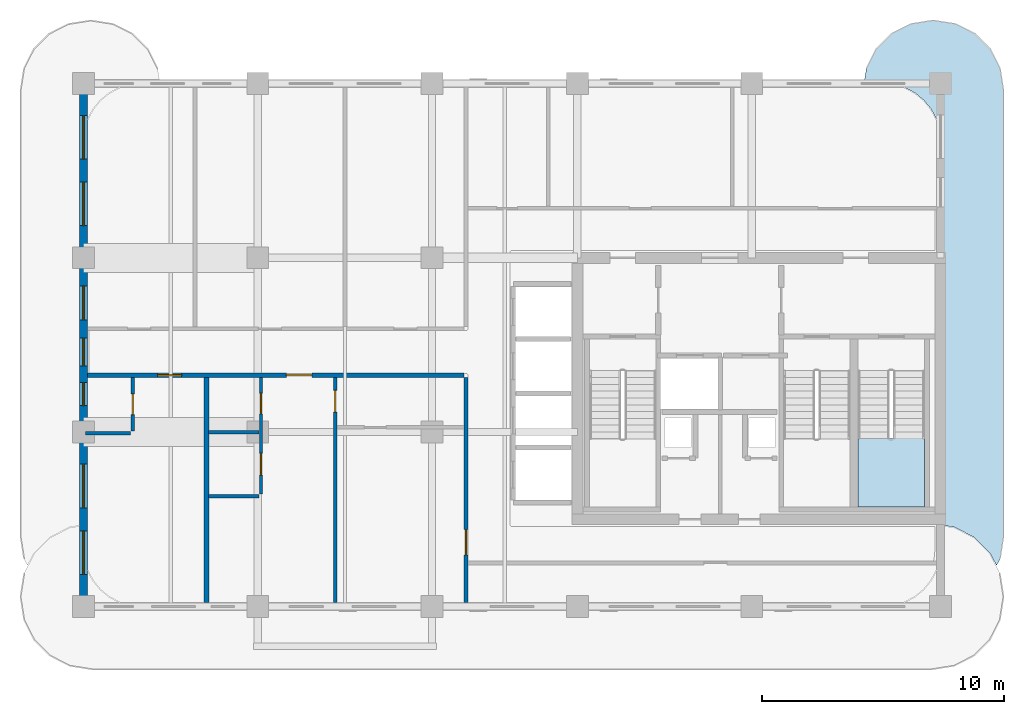
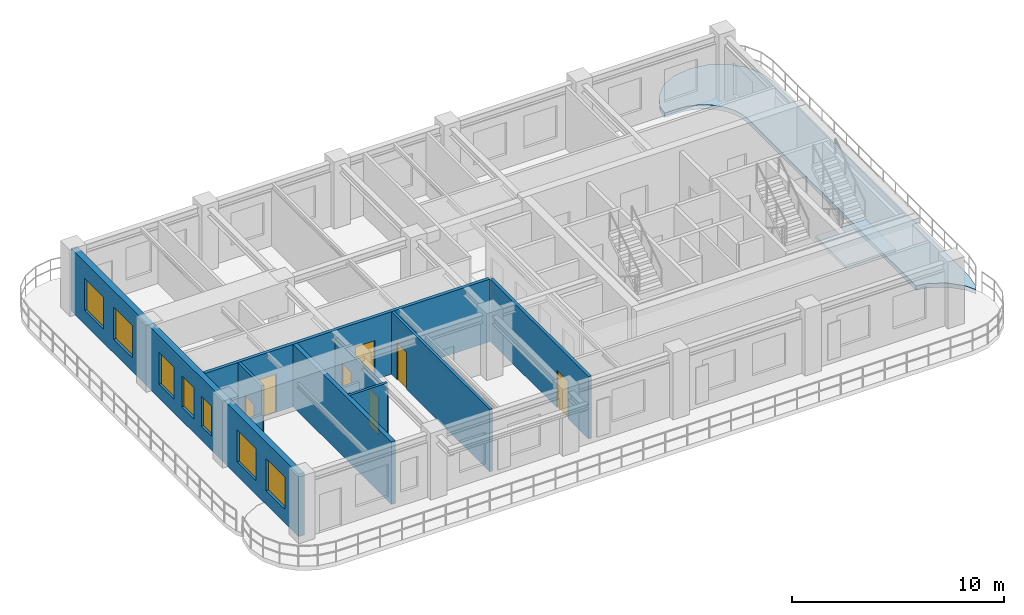
# One storey, part 2 of 8: 10 walls, 7 doors, 7 windows, 2 slabs, 14 openings, 1 element without a shape of its own.
"""IFC4 building model written with IfcOpenShell, lengths in metres."""

from ifc_helpers import new_model, si_unit, derived_unit, direction, frame, frame_2d, origin, place, context, subcontext, project, spatial, polyline, rectangle, outline, extrude, source, transform, mapped, material, layer, layer_set, type_object, type_shapes, element, fill, aggregate, save


model = new_model("IFC4")

# Units and contexts
model_context = context("Model", 3, precision=1e-05, world=origin(), true_north=direction((0.0, 1.0)))
body_context = subcontext(model_context, "Body", "Model", "MODEL_VIEW")
ifc_project = project(units=[si_unit("LENGTHUNIT", "METRE"), si_unit("AREAUNIT", "SQUARE_METRE"), si_unit("VOLUMEUNIT", "CUBIC_METRE"), si_unit("PLANEANGLEUNIT", "RADIAN"), si_unit("MASSUNIT", "GRAM", prefix="KILO"), si_unit("THERMODYNAMICTEMPERATUREUNIT", "KELVIN"), si_unit("POWERUNIT", "WATT"), derived_unit("THERMALTRANSMITTANCEUNIT", [(si_unit("POWERUNIT", "WATT"), 1), (si_unit("AREAUNIT", "SQUARE_METRE"), -1), (si_unit("THERMODYNAMICTEMPERATUREUNIT", "KELVIN"), -1)])], contexts=[model_context])

# Site, building, storey
site_placement = place(None, origin())
site = spatial("IfcSite", under=ifc_project, at=site_placement, CompositionType="ELEMENT")
building_placement = place(site_placement, origin())
building = spatial("IfcBuilding", under=site, at=building_placement, Name="Zahravan Archway Hotel and Residences", CompositionType="ELEMENT")
storey_placement = place(building_placement, frame((0.0, 0.0, 248.10009765625)))
storey = spatial("IfcBuildingStorey", under=building, at=storey_placement, Name="L62", CompositionType="ELEMENT", Elevation=248.10009765625)

# Slab
ifc_material_1 = material(Name="Concrete C45/55", Category="concrete")
ifc_layer_1 = layer(ifc_material_1, 0.25, Name="Concrete C45/55", Category="concrete")
ifc_layer_set_1 = layer_set([ifc_layer_1], Name="Concrete C45/55")
slab_type_1 = type_object("IfcSlabType", Name="SLB-BALC-250", PredefinedType="FLOOR", material=ifc_layer_set_1)
slab_1_placement = place(storey_placement, frame((0.0, 0.0, -0.25)))
element("IfcSlab", 1, at=slab_1_placement, inside=storey, type_object=slab_type_1, Name="L62 Wing A East Rounded Balcony Band", PredefinedType="FLOOR", context=body_context, shape_type="SweptSolid", body=[
    extrude(outline(polyline([(46.739501953125, 22.230712890625), (47.144287109375, 23.025146484375), (47.77490234375, 23.65576171875), (48.5693359375, 24.060546875), (49.449951171875, 24.199951171875), (49.550048828125, 24.199951171875), (50.4306640625, 24.060546875), (51.22509765625, 23.65576171875), (51.855712890625, 23.025146484375), (52.260498046875, 22.230712890625), (52.39990234375, 21.35009765625), (52.39990234375, 2.85009765625), (52.260498046875, 1.96923828125), (52.114501953125, 1.6826171875), (51.8544921875, 2.193115234375), (51.853515625, 2.19482421875), (51.85205078125, 2.196533203125), (51.8505859375, 2.197998046875), (51.197998046875, 2.8505859375), (51.196533203125, 2.85205078125), (51.19482421875, 2.853515625), (51.193115234375, 2.8544921875), (50.37060546875, 3.2734375), (50.368896484375, 3.2744140625), (50.36669921875, 3.27490234375), (50.36474609375, 3.275390625), (49.822998046875, 3.361083984375), (49.8212890625, 3.361328125), (49.820068359375, 3.361328125), (49.820068359375, 19.199951171875), (49.81982421875, 19.201904296875), (49.773681640625, 19.670166015625), (49.7734375, 19.672119140625), (49.77294921875, 19.674072265625), (49.636474609375, 20.124267578125), (49.6357421875, 20.126220703125), (49.635009765625, 20.127685546875), (49.4130859375, 20.542724609375), (49.412109375, 20.54443359375), (49.410888671875, 20.546142578125), (49.112548828125, 20.909912109375), (49.111083984375, 20.9111328125), (49.10986328125, 20.91259765625), (48.74609375, 21.2109375), (48.744384765625, 21.212158203125), (48.742919921875, 21.213134765625), (48.327880859375, 21.434814453125), (48.326171875, 21.435791015625), (48.32421875, 21.436279296875), (47.8740234375, 21.572998046875), (47.8720703125, 21.573486328125), (47.8701171875, 21.57373046875), (47.402099609375, 21.619873046875), (47.39990234375, 21.6201171875), (46.642822265625, 21.6201171875), (46.739501953125, 22.230712890625)])), origin(), (0.0, 0.0, 1.0), 0.25),
])

# Stair, slab
ifc_material_2 = material(Name="Concrete C50/60", Category="concrete")
stair_type = type_object("IfcStairType", Name="STR-CORE-1300", PredefinedType="HALF_TURN_STAIR", material=ifc_material_2)
stair_placement = place(storey_placement, origin())
stair = element("IfcStair", 2, at=stair_placement, inside=storey, type_object=stair_type, Name="L62 Core A Exit Stair 3", PredefinedType="HALF_TURN_STAIR")
ifc_layer_2 = layer(ifc_material_2, 0.199951171875, Name="Concrete C50/60", Category="concrete")
ifc_layer_set_2 = layer_set([ifc_layer_2], Name="Concrete C50/60")
slab_type_2 = type_object("IfcSlabType", Name="SLB-LND-200", PredefinedType="LANDING", material=ifc_layer_set_2)
slab_2_placement = place(storey_placement, frame((0.0, 0.0, 1.724853515625)))
slab_2 = element("IfcSlab", 3, at=slab_2_placement, type_object=slab_type_2, Name="ST-A3 landing 1", PredefinedType="LANDING", context=body_context, shape_type="SweptSolid", body=[
    extrude(outline(polyline([(46.39990234375, 6.929931640625), (46.39990234375, 4.10009765625), (49.139892578125, 4.10009765625), (49.139892578125, 6.929931640625), (46.39990234375, 6.929931640625)])), origin(), (0.0, 0.0, 1.0), 0.199951171875),
])
aggregate(stair, [slab_2])

# Wall, openings, windows
ifc_material_3 = material(Name="Agra Buff Sandstone & Insulated Backup", Category="masonry")
ifc_layer_3 = layer(ifc_material_3, 0.320068359375, Name="Agra Buff Sandstone & Insulated Backup", Category="masonry")
ifc_layer_set_3 = layer_set([ifc_layer_3], Name="Agra Buff Sandstone & Insulated Backup")
wall_type_1 = type_object("IfcWallType", Name="EW-SAND-320", PredefinedType="SOLIDWALL", material=ifc_layer_set_3)
wall_1_placement = place(storey_placement, frame((14.39990234375, 0.050048828125, 0.0), z_axis=(0.0, 0.0, 1.0), x_axis=(0.0, 1.0, 0.0)))
wall_1 = element("IfcWall", 4, at=wall_1_placement, inside=storey, type_object=wall_type_1, Name="L62 Exterior Sandstone Wall WA-W", PredefinedType="SOLIDWALL", context=body_context, shape_type="SweptSolid", body=[
    extrude(rectangle(XDim=21.5, YDim=0.320068359375, at=frame_2d((10.75, 0.0))), origin(), (0.0, 0.0, 1.0), 3.599853515625),
])
opening_1_placement = place(wall_1_placement, frame((1.27490234375, 0.0, 0.800048828125)))
opening_1 = element("IfcOpeningElement", 5, at=opening_1_placement, cuts=wall_1, Name="Opening W-02", PredefinedType="OPENING", context=body_context, shape_type="SweptSolid", body=[
    extrude(rectangle(XDim=1.800048828125, YDim=1.85009765625, at=frame_2d((0.89990234375, 0.925048828125))), frame((0.0, 0.169921875, 0.0), z_axis=(0.0, -1.0, 0.0), x_axis=(1.0, 0.0, 0.0)), (0.0, 0.0, 1.0), 0.340087890625),
])
opening_2_placement = place(wall_1_placement, frame((4.02490234375, 0.0, 0.800048828125)))
opening_2 = element("IfcOpeningElement", 6, at=opening_2_placement, cuts=wall_1, Name="Opening W-02", PredefinedType="OPENING", context=body_context, shape_type="SweptSolid", body=[
    extrude(rectangle(XDim=1.800048828125, YDim=1.85009765625, at=frame_2d((0.89990234375, 0.925048828125))), frame((0.0, 0.169921875, 0.0), z_axis=(0.0, -1.0, 0.0), x_axis=(1.0, 0.0, 0.0)), (0.0, 0.0, 1.0), 0.340087890625),
])
opening_3_placement = place(wall_1_placement, frame((8.24609375, 0.0, 0.800048828125)))
opening_3 = element("IfcOpeningElement", 7, at=opening_3_placement, cuts=wall_1, Name="Opening W-04", PredefinedType="OPENING", context=body_context, shape_type="SweptSolid", body=[
    extrude(rectangle(XDim=0.949951171875, YDim=1.75, at=frame_2d((0.47509765625, 0.875))), frame((0.0, 0.169921875, 0.0), z_axis=(0.0, -1.0, 0.0), x_axis=(1.0, 0.0, 0.0)), (0.0, 0.0, 1.0), 0.340087890625),
])
opening_4_placement = place(wall_1_placement, frame((9.885009765625, 0.0, 0.800048828125)))
opening_4 = element("IfcOpeningElement", 8, at=opening_4_placement, cuts=wall_1, Name="Opening W-05", PredefinedType="OPENING", context=body_context, shape_type="SweptSolid", body=[
    extrude(rectangle(XDim=1.14990234375, YDim=1.800048828125, at=frame_2d((0.574951171875, 0.89990234375))), frame((0.0, 0.169921875, 0.0), z_axis=(0.0, -1.0, 0.0), x_axis=(1.0, 0.0, 0.0)), (0.0, 0.0, 1.0), 0.340087890625),
])
opening_5_placement = place(wall_1_placement, frame((11.7890625, 0.0, 0.800048828125)))
opening_5 = element("IfcOpeningElement", 9, at=opening_5_placement, cuts=wall_1, Name="Opening W-03", PredefinedType="OPENING", context=body_context, shape_type="SweptSolid", body=[
    extrude(rectangle(XDim=1.39990234375, YDim=1.85009765625, at=frame_2d((0.699951171875, 0.925048828125))), frame((0.0, 0.169921875, 0.0), z_axis=(0.0, -1.0, 0.0), x_axis=(1.0, 0.0, 0.0)), (0.0, 0.0, 1.0), 0.340087890625),
])
opening_6_placement = place(wall_1_placement, frame((15.675048828125, 0.0, 0.800048828125)))
opening_6 = element("IfcOpeningElement", 10, at=opening_6_placement, cuts=wall_1, Name="Opening W-02", PredefinedType="OPENING", context=body_context, shape_type="SweptSolid", body=[
    extrude(rectangle(XDim=1.800048828125, YDim=1.85009765625, at=frame_2d((0.89990234375, 0.925048828125))), frame((0.0, 0.169921875, 0.0), z_axis=(0.0, -1.0, 0.0), x_axis=(1.0, 0.0, 0.0)), (0.0, 0.0, 1.0), 0.340087890625),
])
opening_7_placement = place(wall_1_placement, frame((18.425048828125, 0.0, 0.800048828125)))
opening_7 = element("IfcOpeningElement", 11, at=opening_7_placement, cuts=wall_1, Name="Opening W-02", PredefinedType="OPENING", context=body_context, shape_type="SweptSolid", body=[
    extrude(rectangle(XDim=1.800048828125, YDim=1.85009765625, at=frame_2d((0.89990234375, 0.925048828125))), frame((0.0, 0.169921875, 0.0), z_axis=(0.0, -1.0, 0.0), x_axis=(1.0, 0.0, 0.0)), (0.0, 0.0, 1.0), 0.340087890625),
])
ifc_material_4 = material(Name="Bronze-Anodized Thermal-Break Aluminium & Low-E Glass", Category="aluminium")
window_type_1 = type_object("IfcWindowType", Name="WIN-TWR-1400", PartitioningType="SINGLE_PANEL", PredefinedType="WINDOW", material=ifc_material_4)
shared_shape_1 = source(origin(), body_context, "Body", "SweptSolid", [
    extrude(rectangle(XDim=1.39990234375, YDim=1.85009765625, at=frame_2d((0.699951171875, 0.925048828125))), frame((0.0, 0.030029296875, 0.0), z_axis=(0.0, -1.0, 0.0), x_axis=(1.0, 0.0, 0.0)), (0.0, 0.0, 1.0), 0.06005859375),
])
type_shapes(window_type_1, [shared_shape_1])
window_1_placement = place(opening_5_placement, origin())
window_1 = element("IfcWindow", 12, at=window_1_placement, inside=storey, type_object=window_type_1, Name="L62 Loggia Window 24", OverallHeight=1.85009765625, OverallWidth=1.39990234375, PartitioningType="SINGLE_PANEL", PredefinedType="WINDOW", context=body_context, shape_type="MappedRepresentation", body=[
    mapped(shared_shape_1, transform((0.0, 0.0, 0.0), scale=1.0)),
])
fill(opening_5, window_1)
window_type_2 = type_object("IfcWindowType", Name="WIN-NAR-950", PartitioningType="SINGLE_PANEL", PredefinedType="WINDOW", material=ifc_material_4)
shared_shape_2 = source(origin(), body_context, "Body", "SweptSolid", [
    extrude(rectangle(XDim=0.949951171875, YDim=1.75, at=frame_2d((0.47509765625, 0.875))), frame((0.0, 0.030029296875, 0.0), z_axis=(0.0, -1.0, 0.0), x_axis=(1.0, 0.0, 0.0)), (0.0, 0.0, 1.0), 0.06005859375),
])
type_shapes(window_type_2, [shared_shape_2])
window_2_placement = place(opening_3_placement, origin())
window_2 = element("IfcWindow", 13, at=window_2_placement, inside=storey, type_object=window_type_2, Name="L62 Loggia Window 22", OverallHeight=1.75, OverallWidth=0.949951171875, PartitioningType="SINGLE_PANEL", PredefinedType="WINDOW", context=body_context, shape_type="MappedRepresentation", body=[
    mapped(shared_shape_2, transform((0.0, 0.0, 0.0), scale=1.0)),
])
fill(opening_3, window_2)
window_type_3 = type_object("IfcWindowType", Name="WIN-TWR-1800", PartitioningType="DOUBLE_PANEL_VERTICAL", PredefinedType="WINDOW", material=ifc_material_4)
shared_shape_3 = source(origin(), body_context, "Body", "SweptSolid", [
    extrude(rectangle(XDim=1.800048828125, YDim=1.85009765625, at=frame_2d((0.89990234375, 0.925048828125))), frame((0.0, 0.030029296875, 0.0), z_axis=(0.0, -1.0, 0.0), x_axis=(1.0, 0.0, 0.0)), (0.0, 0.0, 1.0), 0.06005859375),
])
type_shapes(window_type_3, [shared_shape_3])
window_3_placement = place(opening_1_placement, origin())
window_3 = element("IfcWindow", 14, at=window_3_placement, inside=storey, type_object=window_type_3, Name="L62 Loggia Window 20", OverallHeight=1.85009765625, OverallWidth=1.800048828125, PartitioningType="DOUBLE_PANEL_VERTICAL", PredefinedType="WINDOW", context=body_context, shape_type="MappedRepresentation", body=[
    mapped(shared_shape_3, transform((0.0, 0.0, 0.0), scale=1.0)),
])
fill(opening_1, window_3)
window_4_placement = place(opening_2_placement, origin())
window_4 = element("IfcWindow", 15, at=window_4_placement, inside=storey, type_object=window_type_3, Name="L62 Loggia Window 21", OverallHeight=1.85009765625, OverallWidth=1.800048828125, PartitioningType="DOUBLE_PANEL_VERTICAL", PredefinedType="WINDOW", context=body_context, shape_type="MappedRepresentation", body=[
    mapped(shared_shape_3, transform((0.0, 0.0, 0.0), scale=1.0)),
])
fill(opening_2, window_4)
window_5_placement = place(opening_6_placement, origin())
window_5 = element("IfcWindow", 16, at=window_5_placement, inside=storey, type_object=window_type_3, Name="L62 Loggia Window 25", OverallHeight=1.85009765625, OverallWidth=1.800048828125, PartitioningType="DOUBLE_PANEL_VERTICAL", PredefinedType="WINDOW", context=body_context, shape_type="MappedRepresentation", body=[
    mapped(shared_shape_3, transform((0.0, 0.0, 0.0), scale=1.0)),
])
fill(opening_6, window_5)
window_6_placement = place(opening_7_placement, origin())
window_6 = element("IfcWindow", 17, at=window_6_placement, inside=storey, type_object=window_type_3, Name="L62 Loggia Window 26", OverallHeight=1.85009765625, OverallWidth=1.800048828125, PartitioningType="DOUBLE_PANEL_VERTICAL", PredefinedType="WINDOW", context=body_context, shape_type="MappedRepresentation", body=[
    mapped(shared_shape_3, transform((0.0, 0.0, 0.0), scale=1.0)),
])
fill(opening_7, window_6)
window_type_4 = type_object("IfcWindowType", Name="WIN-TWR-1150", PartitioningType="SINGLE_PANEL", PredefinedType="WINDOW", material=ifc_material_4)
shared_shape_4 = source(origin(), body_context, "Body", "SweptSolid", [
    extrude(rectangle(XDim=1.14990234375, YDim=1.800048828125, at=frame_2d((0.574951171875, 0.89990234375))), frame((0.0, 0.030029296875, 0.0), z_axis=(0.0, -1.0, 0.0), x_axis=(1.0, 0.0, 0.0)), (0.0, 0.0, 1.0), 0.06005859375),
])
type_shapes(window_type_4, [shared_shape_4])
window_7_placement = place(opening_4_placement, origin())
window_7 = element("IfcWindow", 18, at=window_7_placement, inside=storey, type_object=window_type_4, Name="L62 Loggia Window 23", OverallHeight=1.800048828125, OverallWidth=1.14990234375, PartitioningType="SINGLE_PANEL", PredefinedType="WINDOW", context=body_context, shape_type="MappedRepresentation", body=[
    mapped(shared_shape_4, transform((0.0, 0.0, 0.0), scale=1.0)),
])
fill(opening_4, window_7)

# Wall
ifc_material_5 = material(Name="Fire-Rated Gypsum & Concrete Block", Category="concrete")
ifc_layer_4 = layer(ifc_material_5, 0.219970703125, Name="Fire-Rated Gypsum & Concrete Block", Category="concrete")
ifc_layer_set_4 = layer_set([ifc_layer_4], Name="Fire-Rated Gypsum & Concrete Block")
wall_type_2 = type_object("IfcWallType", Name="PW-COMP-220", PredefinedType="PARTITIONING", material=ifc_layer_set_4)
wall_2_placement = place(storey_placement, frame((19.47998046875, 0.16796875, 0.0), z_axis=(0.0, 0.0, 1.0), x_axis=(0.0, 1.0, 0.0)))
element("IfcWall", 19, at=wall_2_placement, inside=storey, type_object=wall_type_2, Name="L62 Partition WAS-R4", PredefinedType="PARTITIONING", context=body_context, shape_type="SweptSolid", body=[
    extrude(rectangle(XDim=9.2919921875, YDim=0.219970703125, at=frame_2d((4.64599609375, 0.0))), origin(), (0.0, 0.0, 1.0), 3.599853515625),
])

# Wall, opening, door
ifc_layer_5 = layer(ifc_material_5, 0.159912109375, Name="Fire-Rated Gypsum & Concrete Block", Category="concrete")
ifc_layer_set_5 = layer_set([ifc_layer_5], Name="Fire-Rated Gypsum & Concrete Block")
wall_type_3 = type_object("IfcWallType", Name="PW-CORR-160", PredefinedType="PARTITIONING", material=ifc_layer_set_5)
wall_3_placement = place(storey_placement, frame((30.199951171875, 0.16796875, 0.0), z_axis=(0.0, 0.0, 1.0), x_axis=(0.0, 1.0, 0.0)))
wall_3 = element("IfcWall", 20, at=wall_3_placement, inside=storey, type_object=wall_type_3, Name="L62 Partition WA-SRW", PredefinedType="PARTITIONING", context=body_context, shape_type="SweptSolid", body=[
    extrude(rectangle(XDim=9.2919921875, YDim=0.159912109375, at=frame_2d((4.64599609375, 0.0))), origin(), (0.0, 0.0, 1.0), 3.599853515625),
])
opening_8_placement = place(wall_3_placement, frame((1.95703125, 0.0, 0.0)))
opening_8 = element("IfcOpeningElement", 21, at=opening_8_placement, cuts=wall_3, Name="Opening FD-L2", PredefinedType="OPENING", context=body_context, shape_type="SweptSolid", body=[
    extrude(rectangle(XDim=1.050048828125, YDim=2.14990234375, at=frame_2d((0.52490234375, 1.074951171875))), frame((0.0, 0.08984375, 0.0), z_axis=(0.0, -1.0, 0.0), x_axis=(1.0, 0.0, 0.0)), (0.0, 0.0, 1.0), 0.179931640625),
])
ifc_material_6 = material(Name="Fire-Rated Painted Steel", Category="steel")
door_type_1 = type_object("IfcDoorType", Name="FD-LOBBY-1100", OperationType="NOTDEFINED", PredefinedType="DOOR", material=ifc_material_6)
shared_shape_5 = source(origin(), body_context, "Body", "SweptSolid", [
    extrude(rectangle(XDim=1.050048828125, YDim=2.14990234375, at=frame_2d((0.52490234375, 1.074951171875))), frame((0.0, 0.02490234375, 0.0), z_axis=(0.0, -1.0, 0.0), x_axis=(1.0, 0.0, 0.0)), (0.0, 0.0, 1.0), 0.050048828125),
])
type_shapes(door_type_1, [shared_shape_5])
door_1_placement = place(opening_8_placement, origin())
door_1 = element("IfcDoor", 22, at=door_1_placement, inside=storey, type_object=door_type_1, Name="L62 South Riser Corridor Door", OperationType="SINGLE_SWING_LEFT", OverallHeight=2.14990234375, OverallWidth=1.050048828125, PredefinedType="DOOR", context=body_context, shape_type="MappedRepresentation", body=[
    mapped(shared_shape_5, transform((0.0, 0.0, 0.0), scale=1.0)),
])
fill(opening_8, door_1)

# Wall, openings, doors
ifc_layer_6 = layer(ifc_material_5, 0.179931640625, Name="Fire-Rated Gypsum & Concrete Block", Category="concrete")
ifc_layer_set_6 = layer_set([ifc_layer_6], Name="Fire-Rated Gypsum & Concrete Block")
wall_type_4 = type_object("IfcWallType", Name="PW-CORR-180", PredefinedType="PARTITIONING", material=ifc_layer_set_6)
wall_4_placement = place(storey_placement, frame((14.568115234375, 9.550048828125, 0.0), z_axis=(0.0, 0.0, 1.0), x_axis=(1.0, 0.0, 0.0)))
wall_4 = element("IfcWall", 23, at=wall_4_placement, inside=storey, type_object=wall_type_4, Name="L62 Partition WA-CS", PredefinedType="PARTITIONING", context=body_context, shape_type="SweptSolid", body=[
    extrude(rectangle(XDim=15.5419921875, YDim=0.179931640625, at=frame_2d((7.77099609375, 0.0))), origin(), (0.0, 0.0, 1.0), 3.599853515625),
])
opening_9_placement = place(wall_4_placement, frame((2.887939453125, 0.0, 0.0)))
opening_9 = element("IfcOpeningElement", 24, at=opening_9_placement, cuts=wall_4, Name="Opening D-U2", PredefinedType="OPENING", context=body_context, shape_type="SweptSolid", body=[
    extrude(rectangle(XDim=1.0, YDim=2.199951171875, at=frame_2d((0.5, 1.10009765625))), frame((0.0, 0.10009765625, 0.0), z_axis=(0.0, -1.0, 0.0), x_axis=(1.0, 0.0, 0.0)), (0.0, 0.0, 1.0), 0.199951171875),
])
opening_10_placement = place(wall_4_placement, frame((8.2119140625, 0.0, 0.0)))
opening_10 = element("IfcOpeningElement", 25, at=opening_10_placement, cuts=wall_4, Name="Opening D-U1", PredefinedType="OPENING", context=body_context, shape_type="SweptSolid", body=[
    extrude(rectangle(XDim=1.050048828125, YDim=2.25, at=frame_2d((0.52490234375, 1.125))), frame((0.0, 0.10009765625, 0.0), z_axis=(0.0, -1.0, 0.0), x_axis=(1.0, 0.0, 0.0)), (0.0, 0.0, 1.0), 0.199951171875),
])
ifc_material_7 = material(Name="Hardwood Veneer Timber", Category="wood")
door_type_2 = type_object("IfcDoorType", Name="ID-UNIT-1050", OperationType="NOTDEFINED", PredefinedType="DOOR", material=ifc_material_7)
shared_shape_6 = source(origin(), body_context, "Body", "SweptSolid", [
    extrude(rectangle(XDim=1.050048828125, YDim=2.25, at=frame_2d((0.52490234375, 1.125))), frame((0.0, 0.02490234375, 0.0), z_axis=(0.0, -1.0, 0.0), x_axis=(1.0, 0.0, 0.0)), (0.0, 0.0, 1.0), 0.050048828125),
])
type_shapes(door_type_2, [shared_shape_6])
door_2_placement = place(opening_10_placement, origin())
door_2 = element("IfcDoor", 26, at=door_2_placement, inside=storey, type_object=door_type_2, Name="L62 Flat S1 Entrance Door", OperationType="SINGLE_SWING_LEFT", OverallHeight=2.25, OverallWidth=1.050048828125, PredefinedType="DOOR", context=body_context, shape_type="MappedRepresentation", body=[
    mapped(shared_shape_6, transform((0.0, 0.0, 0.0), scale=1.0)),
])
fill(opening_10, door_2)
door_type_3 = type_object("IfcDoorType", Name="ID-UNIT-1000", OperationType="NOTDEFINED", PredefinedType="DOOR", material=ifc_material_7)
shared_shape_7 = source(origin(), body_context, "Body", "SweptSolid", [
    extrude(rectangle(XDim=1.0, YDim=2.199951171875, at=frame_2d((0.5, 1.10009765625))), frame((0.0, 0.02490234375, 0.0), z_axis=(0.0, -1.0, 0.0), x_axis=(1.0, 0.0, 0.0)), (0.0, 0.0, 1.0), 0.050048828125),
])
type_shapes(door_type_3, [shared_shape_7])
door_3_placement = place(opening_9_placement, origin())
door_3 = element("IfcDoor", 27, at=door_3_placement, inside=storey, type_object=door_type_3, Name="L62 Hotel Guestroom 91 Entrance Door", OperationType="SINGLE_SWING_RIGHT", OverallHeight=2.199951171875, OverallWidth=1.0, PredefinedType="DOOR", context=body_context, shape_type="MappedRepresentation", body=[
    mapped(shared_shape_7, transform((0.0, 0.0, 0.0), scale=1.0)),
])
fill(opening_9, door_3)

# Wall, opening, door
ifc_material_8 = material(Name="Acoustic Stud Partition")
ifc_layer_7 = layer(ifc_material_8, 0.14990234375, Name="Acoustic Stud Partition")
ifc_layer_set_7 = layer_set([ifc_layer_7], Name="Acoustic Stud Partition")
wall_type_5 = type_object("IfcWallType", Name="PW-UNIT-150", PredefinedType="PARTITIONING", material=ifc_layer_set_7)
wall_5_placement = place(storey_placement, frame((24.800048828125, 0.16796875, 0.0), z_axis=(0.0, 0.0, 1.0), x_axis=(0.0, 1.0, 0.0)))
wall_5 = element("IfcWall", 28, at=wall_5_placement, inside=storey, type_object=wall_type_5, Name="L62 Partition FL-S1-SP", PredefinedType="PARTITIONING", context=body_context, shape_type="SweptSolid", body=[
    extrude(rectangle(XDim=9.2919921875, YDim=0.14990234375, at=frame_2d((4.64599609375, 0.0))), origin(), (0.0, 0.0, 1.0), 3.599853515625),
])
opening_11_placement = place(wall_5_placement, frame((7.85693359375, 0.0, 0.0)))
opening_11 = element("IfcOpeningElement", 29, at=opening_11_placement, cuts=wall_5, Name="Opening D-I2", PredefinedType="OPENING", context=body_context, shape_type="SweptSolid", body=[
    extrude(rectangle(XDim=0.89990234375, YDim=2.14990234375, at=frame_2d((0.449951171875, 1.074951171875))), frame((0.0, 0.0849609375, 0.0), z_axis=(0.0, -1.0, 0.0), x_axis=(1.0, 0.0, 0.0)), (0.0, 0.0, 1.0), 0.169921875),
])
door_type_4 = type_object("IfcDoorType", Name="ID-INT-900", OperationType="NOTDEFINED", PredefinedType="DOOR", material=ifc_material_7)
shared_shape_8 = source(origin(), body_context, "Body", "SweptSolid", [
    extrude(rectangle(XDim=0.89990234375, YDim=2.14990234375, at=frame_2d((0.449951171875, 1.074951171875))), frame((0.0, 0.02490234375, 0.0), z_axis=(0.0, -1.0, 0.0), x_axis=(1.0, 0.0, 0.0)), (0.0, 0.0, 1.0), 0.050048828125),
])
type_shapes(door_type_4, [shared_shape_8])
door_4_placement = place(opening_11_placement, origin())
door_4 = element("IfcDoor", 30, at=door_4_placement, inside=storey, type_object=door_type_4, Name="L62 Flat S1 Bedroom Hall Door", OperationType="SINGLE_SWING_RIGHT", OverallHeight=2.14990234375, OverallWidth=0.89990234375, PredefinedType="DOOR", context=body_context, shape_type="MappedRepresentation", body=[
    mapped(shared_shape_8, transform((0.0, 0.0, 0.0), scale=1.0)),
])
fill(opening_11, door_4)

ifc_material_9 = material(Name="Moisture-Resistant Blockwork", Category="masonry")
ifc_layer_8 = layer(ifc_material_9, 0.139892578125, Name="Moisture-Resistant Blockwork", Category="masonry")
ifc_layer_set_8 = layer_set([ifc_layer_8], Name="Moisture-Resistant Blockwork")
wall_type_6 = type_object("IfcWallType", Name="PW-WET-140", PredefinedType="PARTITIONING", material=ifc_layer_set_8)
wall_6_placement = place(storey_placement, frame((16.431884765625, 7.239990234375, 0.0), z_axis=(0.0, 0.0, 1.0), x_axis=(0.0, 1.0, 0.0)))
wall_6 = element("IfcWall", 31, at=wall_6_placement, inside=storey, type_object=wall_type_6, Name="L62 Partition HKB-V91", PredefinedType="PARTITIONING", context=body_context, shape_type="SweptSolid", body=[
    extrude(rectangle(XDim=2.219970703125, YDim=0.139892578125, at=frame_2d((1.10986328125, 0.0))), origin(), (0.0, 0.0, 1.0), 3.599853515625),
])
opening_12_placement = place(wall_6_placement, frame((0.68505859375, 0.0, 0.0)))
opening_12 = element("IfcOpeningElement", 32, at=opening_12_placement, cuts=wall_6, Name="Opening D-B1", PredefinedType="OPENING", context=body_context, shape_type="SweptSolid", body=[
    extrude(rectangle(XDim=0.85009765625, YDim=2.10009765625, at=frame_2d((0.425048828125, 1.050048828125))), frame((0.0, 0.080078125, 0.0), z_axis=(0.0, -1.0, 0.0), x_axis=(1.0, 0.0, 0.0)), (0.0, 0.0, 1.0), 0.159912109375),
])
door_type_5 = type_object("IfcDoorType", Name="ID-BATH-850", OperationType="NOTDEFINED", PredefinedType="DOOR", material=ifc_material_7)
shared_shape_9 = source(origin(), body_context, "Body", "SweptSolid", [
    extrude(rectangle(XDim=0.85009765625, YDim=2.10009765625, at=frame_2d((0.425048828125, 1.050048828125))), frame((0.0, 0.02490234375, 0.0), z_axis=(0.0, -1.0, 0.0), x_axis=(1.0, 0.0, 0.0)), (0.0, 0.0, 1.0), 0.050048828125),
])
type_shapes(door_type_5, [shared_shape_9])
door_5_placement = place(opening_12_placement, origin())
door_5 = element("IfcDoor", 33, at=door_5_placement, inside=storey, type_object=door_type_5, Name="L62 Guestroom 91 En-Suite Door", OperationType="SINGLE_SWING_LEFT", OverallHeight=2.10009765625, OverallWidth=0.85009765625, PredefinedType="DOOR", context=body_context, shape_type="MappedRepresentation", body=[
    mapped(shared_shape_9, transform((0.0, 0.0, 0.0), scale=1.0)),
])
fill(opening_12, door_5)

# Wall
wall_7_placement = place(storey_placement, frame((14.489990234375, 7.14990234375, 0.0), z_axis=(0.0, 0.0, 1.0), x_axis=(1.0, 0.0, 0.0)))
element("IfcWall", 34, at=wall_7_placement, inside=storey, type_object=wall_type_6, Name="L62 Partition HKB-H91", PredefinedType="PARTITIONING", context=body_context, shape_type="SweptSolid", body=[
    extrude(rectangle(XDim=1.85205078125, YDim=0.139892578125, at=frame_2d((0.926025390625, 0.0))), origin(), (0.0, 0.0, 1.0), 2.034912109375),
])

# Wall, openings, doors
wall_8_placement = place(storey_placement, frame((21.72998046875, 4.639892578125, 0.0), z_axis=(0.0, 0.0, 1.0), x_axis=(0.0, 1.0, 0.0)))
wall_8 = element("IfcWall", 35, at=wall_8_placement, inside=storey, type_object=wall_type_6, Name="L62 Partition FL-S1-BV", PredefinedType="PARTITIONING", context=body_context, shape_type="SweptSolid", body=[
    extrude(rectangle(XDim=4.820068359375, YDim=0.139892578125, at=frame_2d((2.41015625, 0.0))), origin(), (0.0, 0.0, 1.0), 3.135009765625),
])
opening_13_placement = place(wall_8_placement, frame((0.784912109375, 0.0, 0.0)))
opening_13 = element("IfcOpeningElement", 36, at=opening_13_placement, cuts=wall_8, Name="Opening D-I2", PredefinedType="OPENING", context=body_context, shape_type="SweptSolid", body=[
    extrude(rectangle(XDim=0.89990234375, YDim=2.14990234375, at=frame_2d((0.449951171875, 1.074951171875))), frame((0.0, 0.080078125, 0.0), z_axis=(0.0, -1.0, 0.0), x_axis=(1.0, 0.0, 0.0)), (0.0, 0.0, 1.0), 0.159912109375),
])
opening_14_placement = place(wall_8_placement, frame((3.31005859375, 0.0, 0.0)))
opening_14 = element("IfcOpeningElement", 37, at=opening_14_placement, cuts=wall_8, Name="Opening D-B1", PredefinedType="OPENING", context=body_context, shape_type="SweptSolid", body=[
    extrude(rectangle(XDim=0.85009765625, YDim=2.10009765625, at=frame_2d((0.425048828125, 1.050048828125))), frame((0.0, 0.080078125, 0.0), z_axis=(0.0, -1.0, 0.0), x_axis=(1.0, 0.0, 0.0)), (0.0, 0.0, 1.0), 0.159912109375),
])
door_6_placement = place(opening_14_placement, origin())
door_6 = element("IfcDoor", 38, at=door_6_placement, inside=storey, type_object=door_type_5, Name="L62 Flat S1 Bathroom Door", OperationType="SINGLE_SWING_RIGHT", OverallHeight=2.10009765625, OverallWidth=0.85009765625, PredefinedType="DOOR", context=body_context, shape_type="MappedRepresentation", body=[
    mapped(shared_shape_9, transform((0.0, 0.0, 0.0), scale=1.0)),
])
fill(opening_14, door_6)
door_7_placement = place(opening_13_placement, origin())
door_7 = element("IfcDoor", 39, at=door_7_placement, inside=storey, type_object=door_type_4, Name="L62 Flat S1 Kitchen Door", OperationType="SINGLE_SWING_LEFT", OverallHeight=2.14990234375, OverallWidth=0.89990234375, PredefinedType="DOOR", context=body_context, shape_type="MappedRepresentation", body=[
    mapped(shared_shape_8, transform((0.0, 0.0, 0.0), scale=1.0)),
])
fill(opening_13, door_7)

# Walls
wall_9_placement = place(storey_placement, frame((19.570068359375, 7.199951171875, 0.0), z_axis=(0.0, 0.0, 1.0), x_axis=(1.0, 0.0, 0.0)))
element("IfcWall", 40, at=wall_9_placement, inside=storey, type_object=wall_type_6, Name="L62 Partition FL-S1-BM", PredefinedType="PARTITIONING", context=body_context, shape_type="SweptSolid", body=[
    extrude(rectangle(XDim=2.06982421875, YDim=0.139892578125, at=frame_2d((1.034912109375, 0.0))), origin(), (0.0, 0.0, 1.0), 2.034912109375),
])
wall_10_placement = place(storey_placement, frame((19.570068359375, 4.550048828125, 0.0), z_axis=(0.0, 0.0, 1.0), x_axis=(1.0, 0.0, 0.0)))
element("IfcWall", 41, at=wall_10_placement, inside=storey, type_object=wall_type_6, Name="L62 Partition FL-S1-KH", PredefinedType="PARTITIONING", context=body_context, shape_type="SweptSolid", body=[
    extrude(rectangle(XDim=2.06982421875, YDim=0.139892578125, at=frame_2d((1.034912109375, 0.0))), origin(), (0.0, 0.0, 1.0), 3.599853515625),
])

save(model, "model.ifc")
